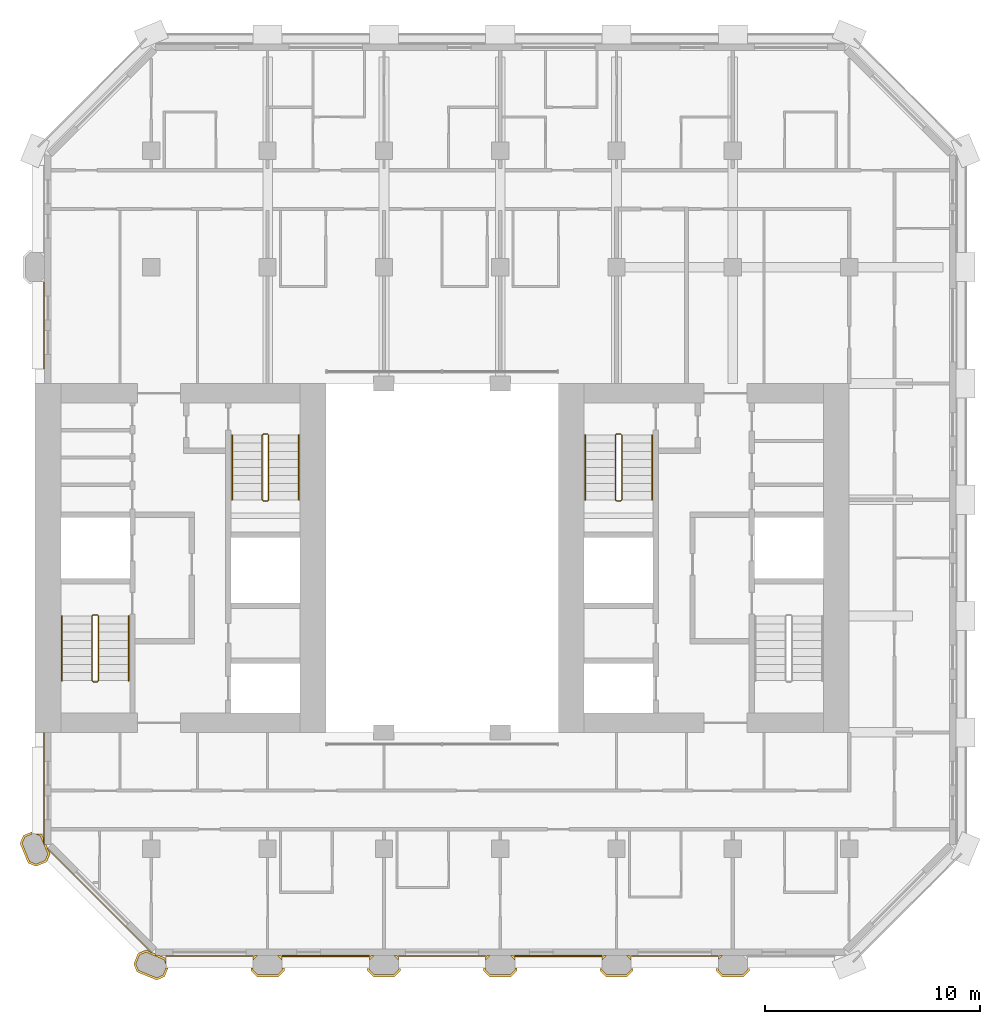
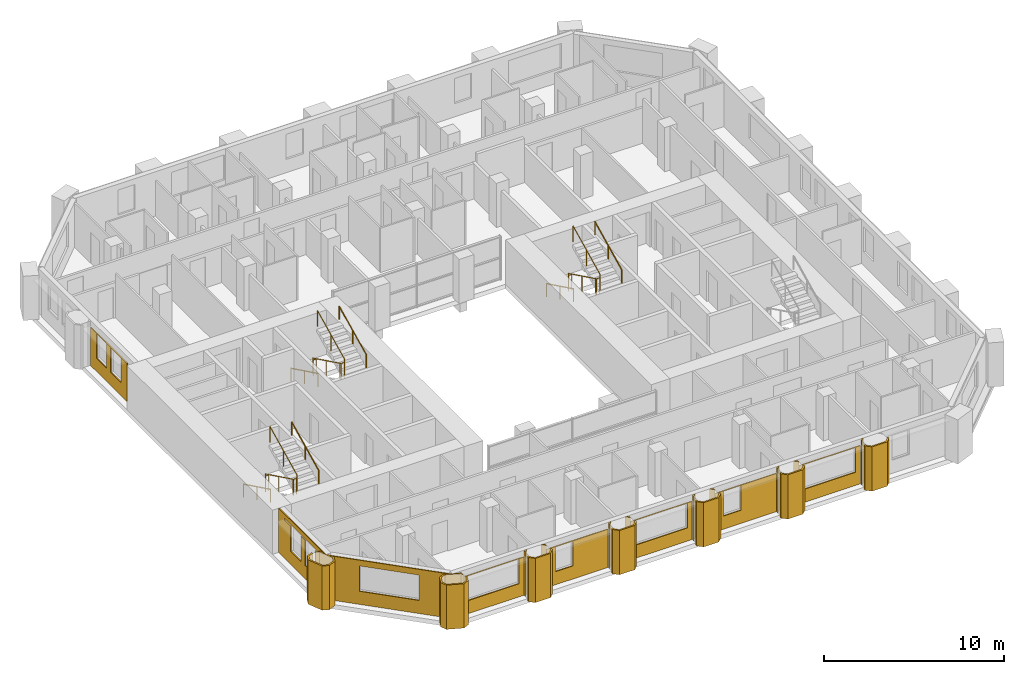
# One storey, part 11 of 13: 24 coverings, 9 railings.
"""IFC4 building model written with IfcOpenShell, lengths in metres."""

from ifc_helpers import new_model, si_unit, direction, frame, origin, origin_2d, place, context, subcontext, project, spatial, polyline, circle, outline, extrude, material, layer, layer_set, type_object, element, save


model = new_model("IFC4")

# Units and contexts
model_context = context("Model", 3, precision=1e-05, world=origin(), true_north=direction((0.0, 1.0)))
body_context = subcontext(model_context, "Body", "Model", "MODEL_VIEW")
ifc_project = project(units=[si_unit("LENGTHUNIT", "METRE"), si_unit("AREAUNIT", "SQUARE_METRE"), si_unit("VOLUMEUNIT", "CUBIC_METRE"), si_unit("PLANEANGLEUNIT", "RADIAN"), si_unit("MASSUNIT", "GRAM", prefix="KILO")], contexts=[model_context])

# Site, building, storey
site_placement = place(None, origin())
site = spatial("IfcSite", under=ifc_project, at=site_placement, CompositionType="ELEMENT")
building_placement = place(site_placement, origin())
building = spatial("IfcBuilding", under=site, at=building_placement, Name="Tabaq Tower and Sports Hall", CompositionType="ELEMENT")
storey_placement = place(building_placement, frame((0.0, 0.0, 200.5)))
storey = spatial("IfcBuildingStorey", under=building, at=storey_placement, Name="L49", CompositionType="ELEMENT", Elevation=200.5)

# Coverings
ifc_material_1 = material(Name="Precast concrete C60/75", Category="concrete")
ifc_layer_1 = layer(ifc_material_1, 0.10009765625)
ifc_layer_set_1 = layer_set([ifc_layer_1], Name="Column cladding 100")
covering_type_1 = type_object("IfcCoveringType", Name="Column cladding 100", PredefinedType="CLADDING", material=ifc_layer_set_1)
covering_1_placement = place(storey_placement, origin())
element("IfcCovering", 1, at=covering_1_placement, inside=storey, type_object=covering_type_1, Name="Column cladding L49 PC-2C-H2", PredefinedType="CLADDING", context=body_context, shape_type="SweptSolid", body=[
    extrude(outline(polyline([(5.450439453125, 9.982421875), (5.080078125, 10.1357421875), (4.7041015625, 11.04345703125), (4.857421875, 11.413818359375), (5.249755859375, 11.576171875), (5.249755859375, 11.474609375), (5.26416015625, 11.474609375), (4.93359375, 11.337646484375), (4.811767578125, 11.04345703125), (5.15625, 10.2119140625), (5.450439453125, 10.08984375), (5.866455078125, 10.26220703125), (5.98828125, 10.556396484375), (5.643798828125, 11.38818359375), (5.434814453125, 11.474609375), (5.694580078125, 11.474609375), (5.7197265625, 11.46435546875), (5.789794921875, 11.295654296875), (5.789794921875, 11.04296875), (5.849609375, 11.04296875), (5.849609375, 10.986083984375), (5.91796875, 10.986083984375), (5.9814453125, 10.83251953125), (5.9501953125, 10.801025390625), (6.026123046875, 10.72509765625), (6.095947265625, 10.556396484375), (5.9423828125, 10.186279296875), (5.450439453125, 9.982421875)])), origin(), (0.0, 0.0, 1.0), 3.0),
])
covering_2_placement = place(storey_placement, origin())
element("IfcCovering", 2, at=covering_2_placement, inside=storey, type_object=covering_type_1, Name="Column cladding L49 PC-3B-H2", PredefinedType="CLADDING", context=body_context, shape_type="SweptSolid", body=[
    extrude(outline(polyline([(11.413818359375, 4.857421875), (11.04345703125, 4.7041015625), (10.1357421875, 5.080078125), (9.982421875, 5.450439453125), (10.186279296875, 5.9423828125), (10.556396484375, 6.095947265625), (10.72509765625, 6.026123046875), (10.801025390625, 5.9501953125), (10.83251953125, 5.9814453125), (10.986083984375, 5.91796875), (10.986083984375, 5.849609375), (11.15087890625, 5.849609375), (11.46435546875, 5.7197265625), (11.474609375, 5.694580078125), (11.474609375, 5.434814453125), (11.38818359375, 5.643798828125), (10.556396484375, 5.98828125), (10.26220703125, 5.866455078125), (10.08984375, 5.450439453125), (10.2119140625, 5.15625), (11.04345703125, 4.811767578125), (11.337646484375, 4.93359375), (11.474609375, 5.26416015625), (11.474609375, 5.249755859375), (11.576171875, 5.249755859375), (11.413818359375, 4.857421875)])), origin(), (0.0, 0.0, 1.0), 3.0),
])
covering_3_placement = place(storey_placement, origin())
element("IfcCovering", 3, at=covering_3_placement, inside=storey, type_object=covering_type_1, Name="Column cladding L49 PC-4B-H2", PredefinedType="CLADDING", context=body_context, shape_type="SweptSolid", body=[
    extrude(outline(polyline([(15.42529296875, 5.249755859375), (15.524658203125, 5.249755859375), (15.524658203125, 5.1748046875), (15.749755859375, 4.94970703125), (16.650146484375, 4.94970703125), (16.875244140625, 5.1748046875), (16.875244140625, 5.249755859375), (16.974609375, 5.249755859375), (16.974609375, 5.1337890625), (16.69140625, 4.850341796875), (15.708740234375, 4.850341796875), (15.42529296875, 5.1337890625), (15.42529296875, 5.249755859375)])), origin(), (0.0, 0.0, 1.0), 3.0),
])
covering_4_placement = place(storey_placement, origin())
element("IfcCovering", 4, at=covering_4_placement, inside=storey, type_object=covering_type_1, Name="Column cladding L49 PC-4B-H2 2", PredefinedType="CLADDING", context=body_context, shape_type="SweptSolid", body=[
    extrude(outline(polyline([(16.874755859375, 5.766357421875), (16.874755859375, 5.625732421875), (16.650634765625, 5.849609375), (16.791259765625, 5.849609375), (16.874755859375, 5.766357421875)])), origin(), (0.0, 0.0, 1.0), 3.0),
])
covering_5_placement = place(storey_placement, origin())
element("IfcCovering", 5, at=covering_5_placement, inside=storey, type_object=covering_type_1, Name="Column cladding L49 PC-4B-H2 3", PredefinedType="CLADDING", context=body_context, shape_type="SweptSolid", body=[
    extrude(outline(polyline([(15.608642578125, 5.849609375), (15.749267578125, 5.849609375), (15.525390625, 5.625732421875), (15.525390625, 5.766357421875), (15.608642578125, 5.849609375)])), origin(), (0.0, 0.0, 1.0), 3.0),
])
covering_6_placement = place(storey_placement, origin())
element("IfcCovering", 6, at=covering_6_placement, inside=storey, type_object=covering_type_1, Name="Column cladding L49 PC-5B-H2", PredefinedType="CLADDING", context=body_context, shape_type="SweptSolid", body=[
    extrude(outline(polyline([(20.82568359375, 5.24951171875), (20.92431640625, 5.24951171875), (20.92431640625, 5.1748046875), (21.149658203125, 4.949462890625), (22.05029296875, 4.949462890625), (22.275634765625, 5.1748046875), (22.275634765625, 5.24951171875), (22.37451171875, 5.24951171875), (22.37451171875, 5.1337890625), (22.091064453125, 4.8505859375), (21.10888671875, 4.8505859375), (20.82568359375, 5.1337890625), (20.82568359375, 5.24951171875)])), origin(), (0.0, 0.0, 1.0), 3.0),
])
covering_7_placement = place(storey_placement, origin())
element("IfcCovering", 7, at=covering_7_placement, inside=storey, type_object=covering_type_1, Name="Column cladding L49 PC-5B-H2 2", PredefinedType="CLADDING", context=body_context, shape_type="SweptSolid", body=[
    extrude(outline(polyline([(22.274658203125, 5.766357421875), (22.274658203125, 5.625732421875), (22.05078125, 5.849609375), (22.19140625, 5.849609375), (22.274658203125, 5.766357421875)])), origin(), (0.0, 0.0, 1.0), 3.0),
])
covering_8_placement = place(storey_placement, origin())
element("IfcCovering", 8, at=covering_8_placement, inside=storey, type_object=covering_type_1, Name="Column cladding L49 PC-5B-H2 3", PredefinedType="CLADDING", context=body_context, shape_type="SweptSolid", body=[
    extrude(outline(polyline([(20.925537109375, 5.62646484375), (20.925537109375, 5.76611328125), (21.0087890625, 5.849365234375), (21.1484375, 5.849365234375), (20.925537109375, 5.62646484375)])), origin(), (0.0, 0.0, 1.0), 3.0),
])
covering_9_placement = place(storey_placement, origin())
element("IfcCovering", 9, at=covering_9_placement, inside=storey, type_object=covering_type_1, Name="Column cladding L49 PC-6B-H2", PredefinedType="CLADDING", context=body_context, shape_type="SweptSolid", body=[
    extrude(outline(polyline([(26.225341796875, 5.249755859375), (26.32470703125, 5.249755859375), (26.32470703125, 5.1748046875), (26.5498046875, 4.94970703125), (27.4501953125, 4.94970703125), (27.67529296875, 5.1748046875), (27.67529296875, 5.249755859375), (27.774658203125, 5.249755859375), (27.774658203125, 5.1337890625), (27.4912109375, 4.850341796875), (26.5087890625, 4.850341796875), (26.225341796875, 5.1337890625), (26.225341796875, 5.249755859375)])), origin(), (0.0, 0.0, 1.0), 3.0),
])
covering_10_placement = place(storey_placement, origin())
element("IfcCovering", 10, at=covering_10_placement, inside=storey, type_object=covering_type_1, Name="Column cladding L49 PC-6B-H2 2", PredefinedType="CLADDING", context=body_context, shape_type="SweptSolid", body=[
    extrude(outline(polyline([(26.40869140625, 5.849609375), (26.54931640625, 5.849609375), (26.3251953125, 5.625732421875), (26.3251953125, 5.766357421875), (26.40869140625, 5.849609375)])), origin(), (0.0, 0.0, 1.0), 3.0),
])
covering_11_placement = place(storey_placement, origin())
element("IfcCovering", 11, at=covering_11_placement, inside=storey, type_object=covering_type_1, Name="Column cladding L49 PC-6B-H2 3", PredefinedType="CLADDING", context=body_context, shape_type="SweptSolid", body=[
    extrude(outline(polyline([(27.6748046875, 5.766357421875), (27.6748046875, 5.625732421875), (27.45068359375, 5.849609375), (27.59130859375, 5.849609375), (27.6748046875, 5.766357421875)])), origin(), (0.0, 0.0, 1.0), 3.0),
])
covering_12_placement = place(storey_placement, origin())
element("IfcCovering", 12, at=covering_12_placement, inside=storey, type_object=covering_type_1, Name="Column cladding L49 PC-7B-H2", PredefinedType="CLADDING", context=body_context, shape_type="SweptSolid", body=[
    extrude(outline(polyline([(31.62548828125, 5.24951171875), (31.724365234375, 5.24951171875), (31.724365234375, 5.1748046875), (31.94970703125, 4.949462890625), (32.850341796875, 4.949462890625), (33.07568359375, 5.1748046875), (33.07568359375, 5.24951171875), (33.17431640625, 5.24951171875), (33.17431640625, 5.1337890625), (32.89111328125, 4.8505859375), (31.908935546875, 4.8505859375), (31.62548828125, 5.1337890625), (31.62548828125, 5.24951171875)])), origin(), (0.0, 0.0, 1.0), 3.0),
])
covering_13_placement = place(storey_placement, origin())
element("IfcCovering", 13, at=covering_13_placement, inside=storey, type_object=covering_type_1, Name="Column cladding L49 PC-7B-H2 2", PredefinedType="CLADDING", context=body_context, shape_type="SweptSolid", body=[
    extrude(outline(polyline([(31.80859375, 5.849609375), (31.94921875, 5.849609375), (31.725341796875, 5.625732421875), (31.725341796875, 5.766357421875), (31.80859375, 5.849609375)])), origin(), (0.0, 0.0, 1.0), 3.0),
])
covering_14_placement = place(storey_placement, origin())
element("IfcCovering", 14, at=covering_14_placement, inside=storey, type_object=covering_type_1, Name="Column cladding L49 PC-7B-H2 3", PredefinedType="CLADDING", context=body_context, shape_type="SweptSolid", body=[
    extrude(outline(polyline([(33.074462890625, 5.62646484375), (32.8515625, 5.849365234375), (32.9912109375, 5.849365234375), (33.074462890625, 5.76611328125), (33.074462890625, 5.62646484375)])), origin(), (0.0, 0.0, 1.0), 3.0),
])
covering_15_placement = place(storey_placement, origin())
element("IfcCovering", 15, at=covering_15_placement, inside=storey, type_object=covering_type_1, Name="Column cladding L49 PC-8B-H2", PredefinedType="CLADDING", context=body_context, shape_type="SweptSolid", body=[
    extrude(outline(polyline([(37.025634765625, 5.24951171875), (37.12451171875, 5.24951171875), (37.12451171875, 5.1748046875), (37.349853515625, 4.949462890625), (38.250244140625, 4.949462890625), (38.4755859375, 5.1748046875), (38.4755859375, 5.24951171875), (38.574462890625, 5.24951171875), (38.574462890625, 5.1337890625), (38.291259765625, 4.8505859375), (37.308837890625, 4.8505859375), (37.025634765625, 5.1337890625), (37.025634765625, 5.24951171875)])), origin(), (0.0, 0.0, 1.0), 3.0),
])
covering_16_placement = place(storey_placement, origin())
element("IfcCovering", 16, at=covering_16_placement, inside=storey, type_object=covering_type_1, Name="Column cladding L49 PC-8B-H2 2", PredefinedType="CLADDING", context=body_context, shape_type="SweptSolid", body=[
    extrude(outline(polyline([(37.208740234375, 5.849609375), (37.349365234375, 5.849609375), (37.125244140625, 5.625732421875), (37.125244140625, 5.766357421875), (37.208740234375, 5.849609375)])), origin(), (0.0, 0.0, 1.0), 3.0),
])

# Railings
ifc_material_2 = material(Name="Stainless steel", Category="steel")
railing_type_1 = type_object("IfcRailingType", Name="Stair guard", PredefinedType="GUARDRAIL", material=ifc_material_2)
railing_1_placement = place(storey_placement, frame((8.300048828125, 21.64990234375, 0.0)))
element("IfcRailing", 17, at=railing_1_placement, inside=storey, type_object=railing_type_1, Name="L49 ST1 stair guard 1", PredefinedType="GUARDRAIL", context=body_context, shape_type="SweptSolid", body=[
    extrude(circle(Radius=0.02392578125, at=origin_2d()), frame((0.0, 0.0, 1.076171875), z_axis=(-1.0, 0.0, 0.0), x_axis=(0.0, -1.0, 0.0)), (0.0, 0.0, 1.0), 0.199951171875),
    extrude(circle(Radius=0.02392578125, at=origin_2d()), frame((-0.199951171875, 0.0, 1.076171875), z_axis=(-0.254733673405, -0.25349107012, 0.933195066962), x_axis=(0.705375805398, -0.708833529934, 0.0)), (0.0, 0.0, 1.0), 0.196533203125),
    extrude(circle(Radius=0.02392578125, at=origin_2d()), frame((-0.25, -0.0498046875, 1.25927734375), z_axis=(0.0, -0.898397823093, 0.439182594671), x_axis=(1.0, 0.0, 0.0)), (0.0, 0.0, 1.0), 3.33935546875),
    extrude(circle(Radius=0.02392578125, at=origin_2d()), frame((-0.25, -3.0498046875, 2.72607421875), z_axis=(0.707106781187, -0.707106781187, 0.0), x_axis=(0.707106781187, 0.707106781187, 0.0)), (0.0, 0.0, 1.0), 0.07080078125),
    extrude(circle(Radius=0.02392578125, at=origin_2d()), frame((-0.199951171875, -3.099853515625, 2.72607421875), z_axis=(1.0, 0.0, 0.0), x_axis=(0.0, 1.0, 0.0)), (0.0, 0.0, 1.0), 0.199951171875),
    extrude(circle(Radius=0.02392578125, at=origin_2d()), frame((0.0, -3.099853515625, 2.72607421875), z_axis=(0.254653276557, 0.254653276557, 0.932900539971), x_axis=(-0.707106781187, 0.707106781187, 0.0)), (0.0, 0.0, 1.0), 0.196533203125),
    extrude(circle(Radius=0.02392578125, at=origin_2d()), frame((0.050048828125, -3.0498046875, 2.9091796875), z_axis=(0.0, 0.898368975038, 0.439241601728), x_axis=(-1.0, 0.0, 0.0)), (0.0, 0.0, 1.0), 3.33935546875),
    extrude(circle(Radius=0.02099609375, at=origin_2d()), origin(), (0.0, 0.0, 1.0), 1.052001953125),
    extrude(circle(Radius=0.02099609375, at=origin_2d()), frame((-0.199951171875, 0.0, 0.0)), (0.0, 0.0, 1.0), 1.052001953125),
    extrude(circle(Radius=0.02099609375, at=origin_2d()), frame((-0.25, -0.0498046875, 0.183349609375)), (0.0, 0.0, 1.0), 1.052001953125),
    extrude(circle(Radius=0.02099609375, at=origin_2d()), frame((-0.25, -1.5498046875, 0.91650390625)), (0.0, 0.0, 1.0), 1.052001953125),
    extrude(circle(Radius=0.02099609375, at=origin_2d()), frame((-0.25, -3.0498046875, 1.64990234375)), (0.0, 0.0, 1.0), 1.052001953125),
    extrude(circle(Radius=0.02099609375, at=origin_2d()), frame((-0.199951171875, -3.099853515625, 1.64990234375)), (0.0, 0.0, 1.0), 1.052001953125),
    extrude(circle(Radius=0.02099609375, at=origin_2d()), frame((0.0, -3.099853515625, 1.64990234375)), (0.0, 0.0, 1.0), 1.052001953125),
    extrude(circle(Radius=0.02099609375, at=origin_2d()), frame((0.050048828125, -3.0498046875, 1.833251953125)), (0.0, 0.0, 1.0), 1.052001953125),
    extrude(circle(Radius=0.02099609375, at=origin_2d()), frame((0.050048828125, -1.5498046875, 2.566650390625)), (0.0, 0.0, 1.0), 1.052001953125),
    extrude(circle(Radius=0.02099609375, at=origin_2d()), frame((0.050048828125, -0.0498046875, 3.300048828125)), (0.0, 0.0, 1.0), 1.052001953125),
])
railing_2_placement = place(storey_placement, frame((16.199951171875, 30.050048828125, 0.0)))
element("IfcRailing", 18, at=railing_2_placement, inside=storey, type_object=railing_type_1, Name="L49 ST2 stair guard 1", PredefinedType="GUARDRAIL", context=body_context, shape_type="SweptSolid", body=[
    extrude(circle(Radius=0.02392578125, at=origin_2d()), frame((0.0, 0.0, 1.076171875), z_axis=(-1.0, 0.0, 0.0), x_axis=(0.0, -1.0, 0.0)), (0.0, 0.0, 1.0), 0.199951171875),
    extrude(circle(Radius=0.02392578125, at=origin_2d()), frame((-0.199951171875, 0.0, 1.076171875), z_axis=(-0.254653276557, -0.254653276557, 0.932900539971), x_axis=(0.707106781187, -0.707106781187, 0.0)), (0.0, 0.0, 1.0), 0.196533203125),
    extrude(circle(Radius=0.02392578125, at=origin_2d()), frame((-0.25, -0.050048828125, 1.25927734375), z_axis=(0.0, -0.898397823093, 0.439182594671), x_axis=(1.0, 0.0, 0.0)), (0.0, 0.0, 1.0), 3.33935546875),
    extrude(circle(Radius=0.02392578125, at=origin_2d()), frame((-0.25, -3.050048828125, 2.72607421875), z_axis=(0.707106781187, -0.707106781187, 0.0), x_axis=(0.707106781187, 0.707106781187, 0.0)), (0.0, 0.0, 1.0), 0.07080078125),
    extrude(circle(Radius=0.02392578125, at=origin_2d()), frame((-0.199951171875, -3.10009765625, 2.72607421875), z_axis=(1.0, 0.0, 0.0), x_axis=(0.0, 1.0, 0.0)), (0.0, 0.0, 1.0), 0.199951171875),
    extrude(circle(Radius=0.02392578125, at=origin_2d()), frame((0.0, -3.10009765625, 2.72607421875), z_axis=(0.254653276557, 0.254653276557, 0.932900539971), x_axis=(-0.707106781187, 0.707106781187, 0.0)), (0.0, 0.0, 1.0), 0.196533203125),
    extrude(circle(Radius=0.02392578125, at=origin_2d()), frame((0.050048828125, -3.050048828125, 2.9091796875), z_axis=(0.0, 0.898368975038, 0.439241601728), x_axis=(-1.0, 0.0, 0.0)), (0.0, 0.0, 1.0), 3.33935546875),
    extrude(circle(Radius=0.02099609375, at=origin_2d()), origin(), (0.0, 0.0, 1.0), 1.052001953125),
    extrude(circle(Radius=0.02099609375, at=origin_2d()), frame((-0.199951171875, 0.0, 0.0)), (0.0, 0.0, 1.0), 1.052001953125),
    extrude(circle(Radius=0.02099609375, at=origin_2d()), frame((-0.25, -0.050048828125, 0.183349609375)), (0.0, 0.0, 1.0), 1.052001953125),
    extrude(circle(Radius=0.02099609375, at=origin_2d()), frame((-0.25, -1.550048828125, 0.91650390625)), (0.0, 0.0, 1.0), 1.052001953125),
    extrude(circle(Radius=0.02099609375, at=origin_2d()), frame((-0.25, -3.050048828125, 1.64990234375)), (0.0, 0.0, 1.0), 1.052001953125),
    extrude(circle(Radius=0.02099609375, at=origin_2d()), frame((-0.199951171875, -3.10009765625, 1.64990234375)), (0.0, 0.0, 1.0), 1.052001953125),
    extrude(circle(Radius=0.02099609375, at=origin_2d()), frame((0.0, -3.10009765625, 1.64990234375)), (0.0, 0.0, 1.0), 1.052001953125),
    extrude(circle(Radius=0.02099609375, at=origin_2d()), frame((0.050048828125, -3.050048828125, 1.833251953125)), (0.0, 0.0, 1.0), 1.052001953125),
    extrude(circle(Radius=0.02099609375, at=origin_2d()), frame((0.050048828125, -1.550048828125, 2.566650390625)), (0.0, 0.0, 1.0), 1.052001953125),
    extrude(circle(Radius=0.02099609375, at=origin_2d()), frame((0.050048828125, -0.050048828125, 3.300048828125)), (0.0, 0.0, 1.0), 1.052001953125),
])
railing_3_placement = place(storey_placement, frame((32.60009765625, 30.050048828125, 0.0)))
element("IfcRailing", 19, at=railing_3_placement, inside=storey, type_object=railing_type_1, Name="L49 ST4 stair guard 1", PredefinedType="GUARDRAIL", context=body_context, shape_type="SweptSolid", body=[
    extrude(circle(Radius=0.02392578125, at=origin_2d()), frame((0.0, 0.0, 1.076171875), z_axis=(-1.0, 0.0, 0.0), x_axis=(0.0, -1.0, 0.0)), (0.0, 0.0, 1.0), 0.2001953125),
    extrude(circle(Radius=0.02392578125, at=origin_2d()), frame((-0.2001953125, 0.0, 1.076171875), z_axis=(-0.25349107012, -0.254733673405, 0.933195066962), x_axis=(0.708833529934, -0.705375805398, 0.0)), (0.0, 0.0, 1.0), 0.196533203125),
    extrude(circle(Radius=0.02392578125, at=origin_2d()), frame((-0.25, -0.050048828125, 1.25927734375), z_axis=(0.0, -0.898397823093, 0.439182594671), x_axis=(1.0, 0.0, 0.0)), (0.0, 0.0, 1.0), 3.33935546875),
    extrude(circle(Radius=0.02392578125, at=origin_2d()), frame((-0.25, -3.050048828125, 2.72607421875), z_axis=(0.705375805398, -0.708833529934, 0.0), x_axis=(0.708833529934, 0.705375805398, 0.0)), (0.0, 0.0, 1.0), 0.070556640625),
    extrude(circle(Radius=0.02392578125, at=origin_2d()), frame((-0.2001953125, -3.10009765625, 2.72607421875), z_axis=(1.0, 0.0, 0.0), x_axis=(0.0, 1.0, 0.0)), (0.0, 0.0, 1.0), 0.2001953125),
    extrude(circle(Radius=0.02392578125, at=origin_2d()), frame((0.0, -3.10009765625, 2.72607421875), z_axis=(0.25349107012, 0.254733673405, 0.933195066962), x_axis=(-0.708833529934, 0.705375805398, 0.0)), (0.0, 0.0, 1.0), 0.196533203125),
    extrude(circle(Radius=0.02392578125, at=origin_2d()), frame((0.0498046875, -3.050048828125, 2.9091796875), z_axis=(0.0, 0.898368975038, 0.439241601728), x_axis=(-1.0, 0.0, 0.0)), (0.0, 0.0, 1.0), 3.33935546875),
    extrude(circle(Radius=0.02099609375, at=origin_2d()), origin(), (0.0, 0.0, 1.0), 1.052001953125),
    extrude(circle(Radius=0.02099609375, at=origin_2d()), frame((-0.2001953125, 0.0, 0.0)), (0.0, 0.0, 1.0), 1.052001953125),
    extrude(circle(Radius=0.02099609375, at=origin_2d()), frame((-0.25, -0.050048828125, 0.183349609375)), (0.0, 0.0, 1.0), 1.052001953125),
    extrude(circle(Radius=0.02099609375, at=origin_2d()), frame((-0.25, -1.550048828125, 0.91650390625)), (0.0, 0.0, 1.0), 1.052001953125),
    extrude(circle(Radius=0.02099609375, at=origin_2d()), frame((-0.25, -3.050048828125, 1.64990234375)), (0.0, 0.0, 1.0), 1.052001953125),
    extrude(circle(Radius=0.02099609375, at=origin_2d()), frame((-0.2001953125, -3.10009765625, 1.64990234375)), (0.0, 0.0, 1.0), 1.052001953125),
    extrude(circle(Radius=0.02099609375, at=origin_2d()), frame((0.0, -3.10009765625, 1.64990234375)), (0.0, 0.0, 1.0), 1.052001953125),
    extrude(circle(Radius=0.02099609375, at=origin_2d()), frame((0.0498046875, -3.050048828125, 1.833251953125)), (0.0, 0.0, 1.0), 1.052001953125),
    extrude(circle(Radius=0.02099609375, at=origin_2d()), frame((0.0498046875, -1.550048828125, 2.566650390625)), (0.0, 0.0, 1.0), 1.052001953125),
    extrude(circle(Radius=0.02099609375, at=origin_2d()), frame((0.0498046875, -0.050048828125, 3.300048828125)), (0.0, 0.0, 1.0), 1.052001953125),
])
ifc_material_3 = material(Name="Stainless steel", Category="steel")
railing_type_2 = type_object("IfcRailingType", Name="Stair handrail", PredefinedType="HANDRAIL", material=ifc_material_3)
railing_4_placement = place(storey_placement, frame((6.64990234375, 21.60009765625, 0.183349609375)))
element("IfcRailing", 20, at=railing_4_placement, inside=storey, type_object=railing_type_2, Name="L49 ST1 stair handrail 1", PredefinedType="HANDRAIL", context=body_context, shape_type="SweptSolid", body=[
    extrude(circle(Radius=0.02392578125, at=origin_2d()), frame((0.0, 0.0, 0.8759765625), z_axis=(0.0, -0.898397823093, 0.439182594671), x_axis=(1.0, 0.0, 0.0)), (0.0, 0.0, 1.0), 3.33935546875),
    extrude(circle(Radius=0.02099609375, at=origin_2d()), origin(), (0.0, 0.0, 1.0), 0.851806640625),
    extrude(circle(Radius=0.02099609375, at=origin_2d()), frame((0.0, -1.5, 0.7333984375)), (0.0, 0.0, 1.0), 0.851806640625),
    extrude(circle(Radius=0.02099609375, at=origin_2d()), frame((0.0, -3.0, 1.466552734375)), (0.0, 0.0, 1.0), 0.851806640625),
])
railing_5_placement = place(storey_placement, frame((9.75, 18.60009765625, 1.833251953125)))
element("IfcRailing", 21, at=railing_5_placement, inside=storey, type_object=railing_type_2, Name="L49 ST1 stair handrail 2", PredefinedType="HANDRAIL", context=body_context, shape_type="SweptSolid", body=[
    extrude(circle(Radius=0.02392578125, at=origin_2d()), frame((0.0, 0.0, 0.8759765625), z_axis=(0.0, 0.898368975038, 0.439241601728), x_axis=(-1.0, 0.0, 0.0)), (0.0, 0.0, 1.0), 3.33935546875),
    extrude(circle(Radius=0.02099609375, at=origin_2d()), origin(), (0.0, 0.0, 1.0), 0.851806640625),
    extrude(circle(Radius=0.02099609375, at=origin_2d()), frame((0.0, 1.5, 0.7333984375)), (0.0, 0.0, 1.0), 0.851806640625),
    extrude(circle(Radius=0.02099609375, at=origin_2d()), frame((0.0, 3.0, 1.466796875)), (0.0, 0.0, 1.0), 0.851806640625),
])
railing_6_placement = place(storey_placement, frame((14.550048828125, 30.0, 0.183349609375)))
element("IfcRailing", 22, at=railing_6_placement, inside=storey, type_object=railing_type_2, Name="L49 ST2 stair handrail 1", PredefinedType="HANDRAIL", context=body_context, shape_type="SweptSolid", body=[
    extrude(circle(Radius=0.02392578125, at=origin_2d()), frame((0.0, 0.0, 0.8759765625), z_axis=(0.0, -0.898397823093, 0.439182594671), x_axis=(1.0, 0.0, 0.0)), (0.0, 0.0, 1.0), 3.33935546875),
    extrude(circle(Radius=0.02099609375, at=origin_2d()), origin(), (0.0, 0.0, 1.0), 0.851806640625),
    extrude(circle(Radius=0.02099609375, at=origin_2d()), frame((0.0, -1.5, 0.7333984375)), (0.0, 0.0, 1.0), 0.851806640625),
    extrude(circle(Radius=0.02099609375, at=origin_2d()), frame((0.0, -3.0, 1.466552734375)), (0.0, 0.0, 1.0), 0.851806640625),
])
railing_7_placement = place(storey_placement, frame((17.64990234375, 27.0, 1.833251953125)))
element("IfcRailing", 23, at=railing_7_placement, inside=storey, type_object=railing_type_2, Name="L49 ST2 stair handrail 2", PredefinedType="HANDRAIL", context=body_context, shape_type="SweptSolid", body=[
    extrude(circle(Radius=0.02392578125, at=origin_2d()), frame((0.0, 0.0, 0.8759765625), z_axis=(0.0, 0.898368975038, 0.439241601728), x_axis=(-1.0, 0.0, 0.0)), (0.0, 0.0, 1.0), 3.33935546875),
    extrude(circle(Radius=0.02099609375, at=origin_2d()), origin(), (0.0, 0.0, 1.0), 0.851806640625),
    extrude(circle(Radius=0.02099609375, at=origin_2d()), frame((0.0, 1.5, 0.7333984375)), (0.0, 0.0, 1.0), 0.851806640625),
    extrude(circle(Radius=0.02099609375, at=origin_2d()), frame((0.0, 3.0, 1.466796875)), (0.0, 0.0, 1.0), 0.851806640625),
])
railing_8_placement = place(storey_placement, frame((30.949951171875, 30.0, 0.183349609375)))
element("IfcRailing", 24, at=railing_8_placement, inside=storey, type_object=railing_type_2, Name="L49 ST4 stair handrail 1", PredefinedType="HANDRAIL", context=body_context, shape_type="SweptSolid", body=[
    extrude(circle(Radius=0.02392578125, at=origin_2d()), frame((0.0, 0.0, 0.8759765625), z_axis=(0.0, -0.898397823093, 0.439182594671), x_axis=(1.0, 0.0, 0.0)), (0.0, 0.0, 1.0), 3.33935546875),
    extrude(circle(Radius=0.02099609375, at=origin_2d()), origin(), (0.0, 0.0, 1.0), 0.851806640625),
    extrude(circle(Radius=0.02099609375, at=origin_2d()), frame((0.0, -1.5, 0.7333984375)), (0.0, 0.0, 1.0), 0.851806640625),
    extrude(circle(Radius=0.02099609375, at=origin_2d()), frame((0.0, -3.0, 1.466552734375)), (0.0, 0.0, 1.0), 0.851806640625),
])
railing_9_placement = place(storey_placement, frame((34.050048828125, 27.0, 1.833251953125)))
element("IfcRailing", 25, at=railing_9_placement, inside=storey, type_object=railing_type_2, Name="L49 ST4 stair handrail 2", PredefinedType="HANDRAIL", context=body_context, shape_type="SweptSolid", body=[
    extrude(circle(Radius=0.02392578125, at=origin_2d()), frame((0.0, 0.0, 0.8759765625), z_axis=(0.0, 0.898368975038, 0.439241601728), x_axis=(-1.0, 0.0, 0.0)), (0.0, 0.0, 1.0), 3.33935546875),
    extrude(circle(Radius=0.02099609375, at=origin_2d()), origin(), (0.0, 0.0, 1.0), 0.851806640625),
    extrude(circle(Radius=0.02099609375, at=origin_2d()), frame((0.0, 1.5, 0.7333984375)), (0.0, 0.0, 1.0), 0.851806640625),
    extrude(circle(Radius=0.02099609375, at=origin_2d()), frame((0.0, 3.0, 1.466796875)), (0.0, 0.0, 1.0), 0.851806640625),
])

# Coverings
ifc_material_4 = material(Name="Precast concrete C60/75", Category="concrete")
ifc_layer_2 = layer(ifc_material_4, 0.06005859375)
ifc_layer_set_2 = layer_set([ifc_layer_2], Name="White precast cladding panel 60 C60/75")
covering_type_2 = type_object("IfcCoveringType", Name="White precast cladding panel 60 C60/75", PredefinedType="CLADDING", material=ifc_layer_set_2)
covering_17_placement = place(storey_placement, frame((11.465087890625, 5.820068359375, 0.0), z_axis=(0.0, 0.0, 1.0), x_axis=(1.0, 0.0, 0.0)))
element("IfcCovering", 26, at=covering_17_placement, inside=storey, type_object=covering_type_2, Name="White precast cladding panel L49 wall00", PredefinedType="CLADDING", context=body_context, shape_type="SweptSolid", body=[
    extrude(outline(polyline([(0.0, 0.0), (4.0498046875, 0.0), (4.0498046875, 2.590087890625), (0.0, 2.590087890625), (0.0, 0.0)]), holes=[polyline([(3.7451171875, 0.889892578125), (0.324951171875, 0.889892578125), (0.324951171875, 2.56005859375), (3.7451171875, 2.56005859375), (3.7451171875, 0.889892578125)])]), frame((0.0, 0.030029296875, 0.0), z_axis=(0.0, -1.0, 0.0), x_axis=(1.0, 0.0, 0.0)), (0.0, 0.0, 1.0), 0.06005859375),
])
covering_18_placement = place(storey_placement, frame((16.885009765625, 5.820068359375, 0.0), z_axis=(0.0, 0.0, 1.0), x_axis=(1.0, 0.0, 0.0)))
element("IfcCovering", 27, at=covering_18_placement, inside=storey, type_object=covering_type_2, Name="White precast cladding panel L49 wall00 2", PredefinedType="CLADDING", context=body_context, shape_type="SweptSolid", body=[
    extrude(outline(polyline([(0.0, 0.0), (4.030029296875, 0.0), (4.030029296875, 2.590087890625), (0.0, 2.590087890625), (0.0, 0.0)]), holes=[polyline([(1.77490234375, 0.889892578125), (0.655029296875, 0.889892578125), (0.655029296875, 2.56005859375), (1.77490234375, 2.56005859375), (1.77490234375, 0.889892578125)])]), frame((0.0, 0.030029296875, 0.0), z_axis=(0.0, -1.0, 0.0), x_axis=(1.0, 0.0, 0.0)), (0.0, 0.0, 1.0), 0.06005859375),
])
covering_19_placement = place(storey_placement, frame((22.284912109375, 5.820068359375, 0.0), z_axis=(0.0, 0.0, 1.0), x_axis=(1.0, 0.0, 0.0)))
element("IfcCovering", 28, at=covering_19_placement, inside=storey, type_object=covering_type_2, Name="White precast cladding panel L49 wall00 3", PredefinedType="CLADDING", context=body_context, shape_type="SweptSolid", body=[
    extrude(outline(polyline([(0.0, 0.0), (4.030029296875, 0.0), (4.030029296875, 2.590087890625), (0.0, 2.590087890625), (0.0, 0.0)]), holes=[polyline([(3.72509765625, 0.889892578125), (0.304931640625, 0.889892578125), (0.304931640625, 2.56005859375), (3.72509765625, 2.56005859375), (3.72509765625, 0.889892578125)])]), frame((0.0, 0.030029296875, 0.0), z_axis=(0.0, -1.0, 0.0), x_axis=(1.0, 0.0, 0.0)), (0.0, 0.0, 1.0), 0.06005859375),
])
covering_20_placement = place(storey_placement, frame((27.68505859375, 5.820068359375, 0.0), z_axis=(0.0, 0.0, 1.0), x_axis=(1.0, 0.0, 0.0)))
element("IfcCovering", 29, at=covering_20_placement, inside=storey, type_object=covering_type_2, Name="White precast cladding panel L49 wall00 4", PredefinedType="CLADDING", context=body_context, shape_type="SweptSolid", body=[
    extrude(outline(polyline([(0.0, 0.0), (4.030029296875, 0.0), (4.030029296875, 2.590087890625), (0.0, 2.590087890625), (0.0, 0.0)]), holes=[polyline([(1.77490234375, 0.889892578125), (0.655029296875, 0.889892578125), (0.655029296875, 2.56005859375), (1.77490234375, 2.56005859375), (1.77490234375, 0.889892578125)])]), frame((0.0, 0.030029296875, 0.0), z_axis=(0.0, -1.0, 0.0), x_axis=(1.0, 0.0, 0.0)), (0.0, 0.0, 1.0), 0.06005859375),
])
covering_21_placement = place(storey_placement, frame((33.0849609375, 5.820068359375, 0.0), z_axis=(0.0, 0.0, 1.0), x_axis=(1.0, 0.0, 0.0)))
element("IfcCovering", 30, at=covering_21_placement, inside=storey, type_object=covering_type_2, Name="White precast cladding panel L49 wall00 5", PredefinedType="CLADDING", context=body_context, shape_type="SweptSolid", body=[
    extrude(outline(polyline([(0.0, 0.0), (4.030029296875, 0.0), (4.030029296875, 2.590087890625), (0.0, 2.590087890625), (0.0, 0.0)]), holes=[polyline([(3.72509765625, 0.889892578125), (0.304931640625, 0.889892578125), (0.304931640625, 2.56005859375), (3.72509765625, 2.56005859375), (3.72509765625, 0.889892578125)])]), frame((0.0, 0.030029296875, 0.0), z_axis=(0.0, -1.0, 0.0), x_axis=(1.0, 0.0, 0.0)), (0.0, 0.0, 1.0), 0.06005859375),
])
covering_22_placement = place(storey_placement, frame((5.820068359375, 37.114990234375, 0.0), z_axis=(0.0, 0.0, 1.0), x_axis=(0.0, -1.0, 0.0)))
element("IfcCovering", 31, at=covering_22_placement, inside=storey, type_object=covering_type_2, Name="White precast cladding panel L49 wall06 2", PredefinedType="CLADDING", context=body_context, shape_type="SweptSolid", body=[
    extrude(outline(polyline([(0.0, 0.0), (4.050048828125, 0.0), (4.050048828125, 2.590087890625), (0.0, 2.590087890625), (0.0, 0.0)]), holes=[polyline([(0.655029296875, 0.889892578125), (0.655029296875, 2.56005859375), (1.77490234375, 2.56005859375), (1.77490234375, 0.889892578125), (0.655029296875, 0.889892578125)]), polyline([(2.2548828125, 0.889892578125), (2.2548828125, 2.56005859375), (3.375, 2.56005859375), (3.375, 0.889892578125), (2.2548828125, 0.889892578125)])]), frame((0.0, 0.030029296875, 0.0), z_axis=(0.0, -1.0, 0.0), x_axis=(1.0, 0.0, 0.0)), (0.0, 0.0, 1.0), 0.06005859375),
])
covering_23_placement = place(storey_placement, frame((5.820068359375, 16.199951171875, 0.0), z_axis=(0.0, 0.0, 1.0), x_axis=(0.0, -1.0, 0.0)))
element("IfcCovering", 32, at=covering_23_placement, inside=storey, type_object=covering_type_2, Name="White precast cladding panel L49 wall06-1", PredefinedType="CLADDING", context=body_context, shape_type="SweptSolid", body=[
    extrude(outline(polyline([(0.0, 0.0), (5.15673828125, 0.0), (5.15673828125, 3.0), (0.0, 3.0), (0.0, 0.0)]), holes=[polyline([(1.340087890625, 2.590087890625), (0.6650390625, 2.590087890625), (0.6650390625, 2.7099609375), (4.735107421875, 2.7099609375), (4.735107421875, 2.590087890625), (4.06005859375, 2.590087890625), (4.06005859375, 0.889892578125), (2.93994140625, 0.889892578125), (2.93994140625, 2.590087890625), (2.4599609375, 2.590087890625), (2.4599609375, 0.889892578125), (1.340087890625, 0.889892578125), (1.340087890625, 2.590087890625)])]), frame((0.0, 0.030029296875, 0.0), z_axis=(0.0, -1.0, 0.0), x_axis=(1.0, 0.0, 0.0)), (0.0, 0.0, 1.0), 0.06005859375),
])
covering_24_placement = place(storey_placement, frame((5.9716796875, 10.822265625, 0.0), z_axis=(0.0, 0.0, 1.0), x_axis=(0.707106781187, -0.707106781187, 0.0)))
element("IfcCovering", 33, at=covering_24_placement, inside=storey, type_object=covering_type_2, Name="White precast cladding panel L49 wall07", PredefinedType="CLADDING", context=body_context, shape_type="SweptSolid", body=[
    extrude(outline(polyline([(0.0, 0.0), (6.85986328125, 0.0), (6.85986328125, 3.0), (0.0, 3.0), (0.0, 0.0)]), holes=[polyline([(1.7197265625, 0.889892578125), (1.7197265625, 2.610107421875), (5.139892578125, 2.610107421875), (5.139892578125, 0.889892578125), (1.7197265625, 0.889892578125)])]), frame((0.0, 0.030029296875, 0.0), z_axis=(0.0, -1.0, 0.0), x_axis=(1.0, 0.0, 0.0)), (0.0, 0.0, 1.0), 0.06005859375),
])

save(model, "model.ifc")
